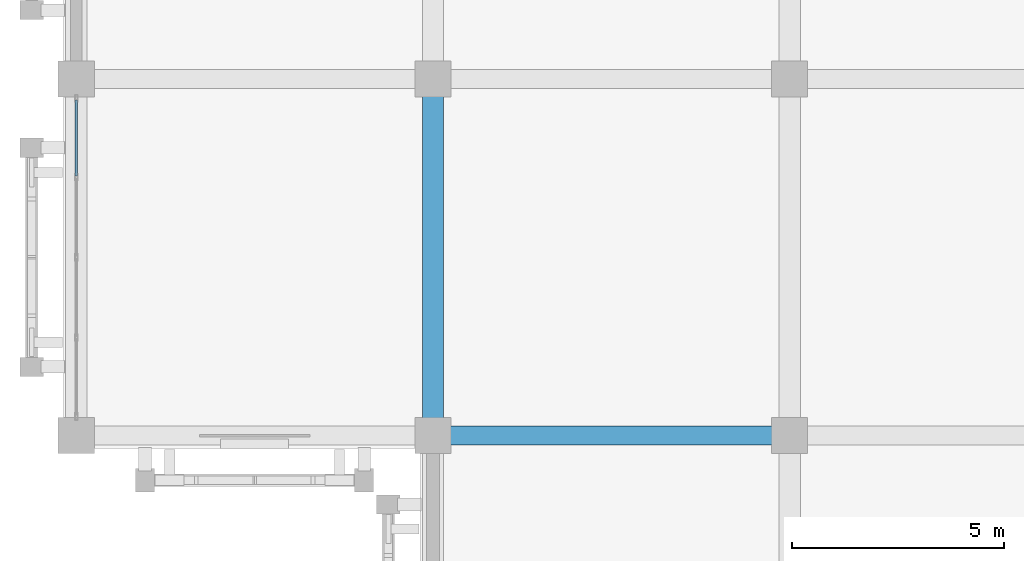
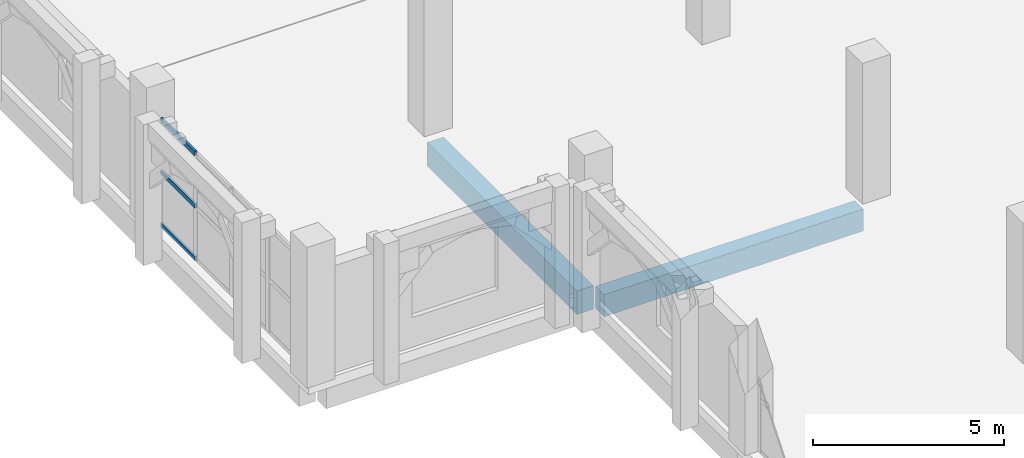
# One storey, part 9 of 137: 3 members, 2 beams, 1 element without a shape of its own.
"""IFC4 building model written with IfcOpenShell, lengths in metres."""

from ifc_helpers import new_model, si_unit, direction, frame, origin, origin_2d, place, context, subcontext, project, spatial, rectangle, hollow_rectangle, extrude, material, layer, layer_set, material_profile, profile_set, type_object, element, aggregate, save


model = new_model("IFC4")

# Units and contexts
model_context = context("Model", 3, precision=1e-05, world=origin(), true_north=direction((0.0, 1.0)))
body_context = subcontext(model_context, "Body", "Model", "MODEL_VIEW")
ifc_project = project(units=[si_unit("LENGTHUNIT", "METRE"), si_unit("AREAUNIT", "SQUARE_METRE"), si_unit("VOLUMEUNIT", "CUBIC_METRE"), si_unit("PLANEANGLEUNIT", "RADIAN"), si_unit("MASSUNIT", "GRAM", prefix="KILO")], contexts=[model_context])

# Site, building, storey
site_placement = place(None, origin())
site = spatial("IfcSite", under=ifc_project, at=site_placement, CompositionType="ELEMENT")
building_placement = place(site_placement, origin())
building = spatial("IfcBuilding", under=site, at=building_placement, Name="Xazarin Passage Department Store", CompositionType="ELEMENT")
storey_placement = place(building_placement, frame((0.0, 0.0, 5.39990234375)))
storey = spatial("IfcBuildingStorey", under=building, at=storey_placement, Name="L01", CompositionType="ELEMENT", Elevation=5.39990234375)

# Curtain wall, members
ifc_material_1 = material(Name="Bronze anodised aluminium", Category="aluminium")
ifc_layer = layer(ifc_material_1, 0.18994140625)
ifc_layer_set = layer_set([ifc_layer], Name="Bronze anodised aluminium")
curtain_wall_type = type_object("IfcCurtainWallType", Name="ARC-CW-FDH1", PredefinedType="NOTDEFINED", material=ifc_layer_set)
curtain_wall_placement = place(storey_placement, origin())
curtain_wall = element("IfcCurtainWall", 1, at=curtain_wall_placement, inside=storey, type_object=curtain_wall_type, Name="L01 V3 Curtain Wall 127", PredefinedType="NOTDEFINED")
ifc_material_profile_1 = material_profile(ifc_material_1, hollow_rectangle(XDim=0.06494140625, YDim=0.139892578125, WallThickness=0.00390625, at=origin_2d()), Name="ALU 65x140")
ifc_profile_set_1 = profile_set([ifc_material_profile_1], Name="Bronze anodised aluminium")
member_type = type_object("IfcMemberType", Name="ARC-CWT-65x140", PredefinedType="USERDEFINED", material=ifc_profile_set_1)
member_1_placement = place(storey_placement, frame((0.0, 22.919921875, 0.03271484375), z_axis=(0.0, 1.0, 0.0), x_axis=(-1.0, 0.0, 0.0)))
member_1 = element("IfcMember", 2, at=member_1_placement, type_object=member_type, Name="CW5 transom 4.1", ObjectType="TRANSOM", PredefinedType="USERDEFINED", context=body_context, shape_type="SweptSolid", body=[
    extrude(hollow_rectangle(XDim=0.06494140625, YDim=0.139892578125, WallThickness=0.00390625, at=origin_2d()), origin(), (0.0, 0.0, 1.0), 1.7900390625),
])
member_2_placement = place(storey_placement, frame((0.0, 22.919921875, 1.715087890625), z_axis=(0.0, 1.0, 0.0), x_axis=(-1.0, 0.0, 0.0)))
member_2 = element("IfcMember", 3, at=member_2_placement, type_object=member_type, Name="CW5 transom 4.2", ObjectType="TRANSOM", PredefinedType="USERDEFINED", context=body_context, shape_type="SweptSolid", body=[
    extrude(hollow_rectangle(XDim=0.06494140625, YDim=0.139892578125, WallThickness=0.00390625, at=origin_2d()), origin(), (0.0, 0.0, 1.0), 1.7900390625),
])
member_3_placement = place(storey_placement, frame((0.0, 22.919921875, 3.397705078125), z_axis=(0.0, 1.0, 0.0), x_axis=(-1.0, 0.0, 0.0)))
member_3 = element("IfcMember", 4, at=member_3_placement, type_object=member_type, Name="CW5 transom 4.3", ObjectType="TRANSOM", PredefinedType="USERDEFINED", context=body_context, shape_type="SweptSolid", body=[
    extrude(hollow_rectangle(XDim=0.06494140625, YDim=0.139892578125, WallThickness=0.00390625, at=origin_2d()), origin(), (0.0, 0.0, 1.0), 1.7900390625),
])
aggregate(curtain_wall, [member_1, member_2, member_3])

# Beams
ifc_material_2 = material(Name="Concrete C35/45", Category="concrete")
ifc_material_profile_2 = material_profile(ifc_material_2, rectangle(XDim=0.449951171875, YDim=0.699951171875, at=origin_2d()), Name="RC 450x700")
ifc_profile_set_2 = profile_set([ifc_material_profile_2], Name="Concrete C35/45")
beam_type_1 = type_object("IfcBeamType", Name="STR-BM-G450x700", PredefinedType="BEAM", material=ifc_profile_set_2)
beam_1_placement = place(storey_placement, frame((8.679931640625, 16.800048828125, -0.669921875), z_axis=(1.0, 0.0, 0.0), x_axis=(0.0, 1.0, 0.0)))
element("IfcBeam", 5, at=beam_1_placement, inside=storey, type_object=beam_type_1, Name="L01 Grid Beam C/2-3", PredefinedType="BEAM", context=body_context, shape_type="SweptSolid", body=[
    extrude(rectangle(XDim=0.449951171875, YDim=0.699951171875, at=origin_2d()), origin(), (0.0, 0.0, 1.0), 7.840087890625),
])
ifc_material_profile_3 = material_profile(ifc_material_2, rectangle(XDim=0.5, YDim=0.75, at=origin_2d()), Name="RC 500x750")
ifc_profile_set_3 = profile_set([ifc_material_profile_3], Name="Concrete C35/45")
beam_type_2 = type_object("IfcBeamType", Name="STR-BM-SP500x750", PredefinedType="SPANDREL", material=ifc_profile_set_3)
beam_2_placement = place(storey_placement, frame((8.39990234375, 17.080078125, -0.69482421875), z_axis=(0.0, 1.0, 0.0), x_axis=(-1.0, 0.0, 0.0)))
element("IfcBeam", 6, at=beam_2_placement, inside=storey, type_object=beam_type_2, Name="L01 Grid Beam 2/C-D", PredefinedType="SPANDREL", context=body_context, shape_type="SweptSolid", body=[
    extrude(rectangle(XDim=0.5, YDim=0.75, at=origin_2d()), origin(), (0.0, 0.0, 1.0), 7.83984375),
])

save(model, "model.ifc")
